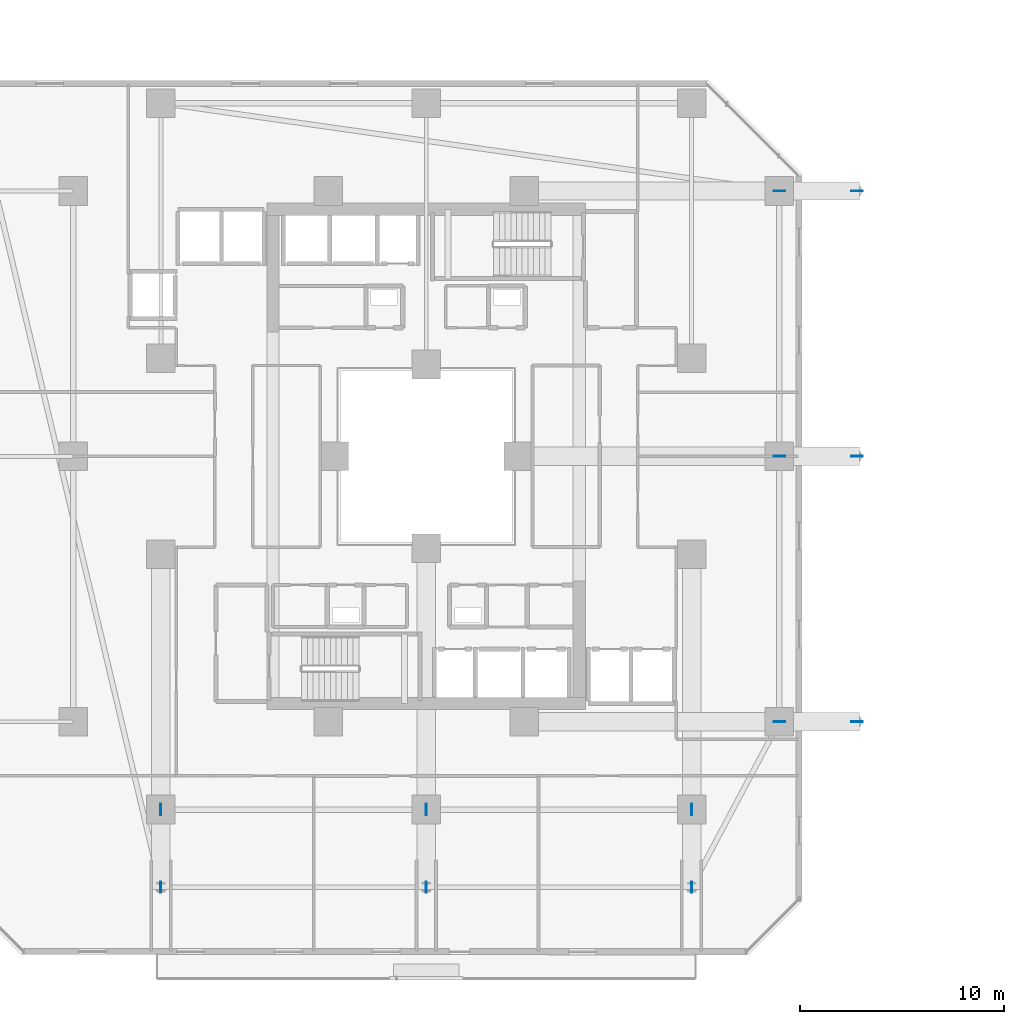
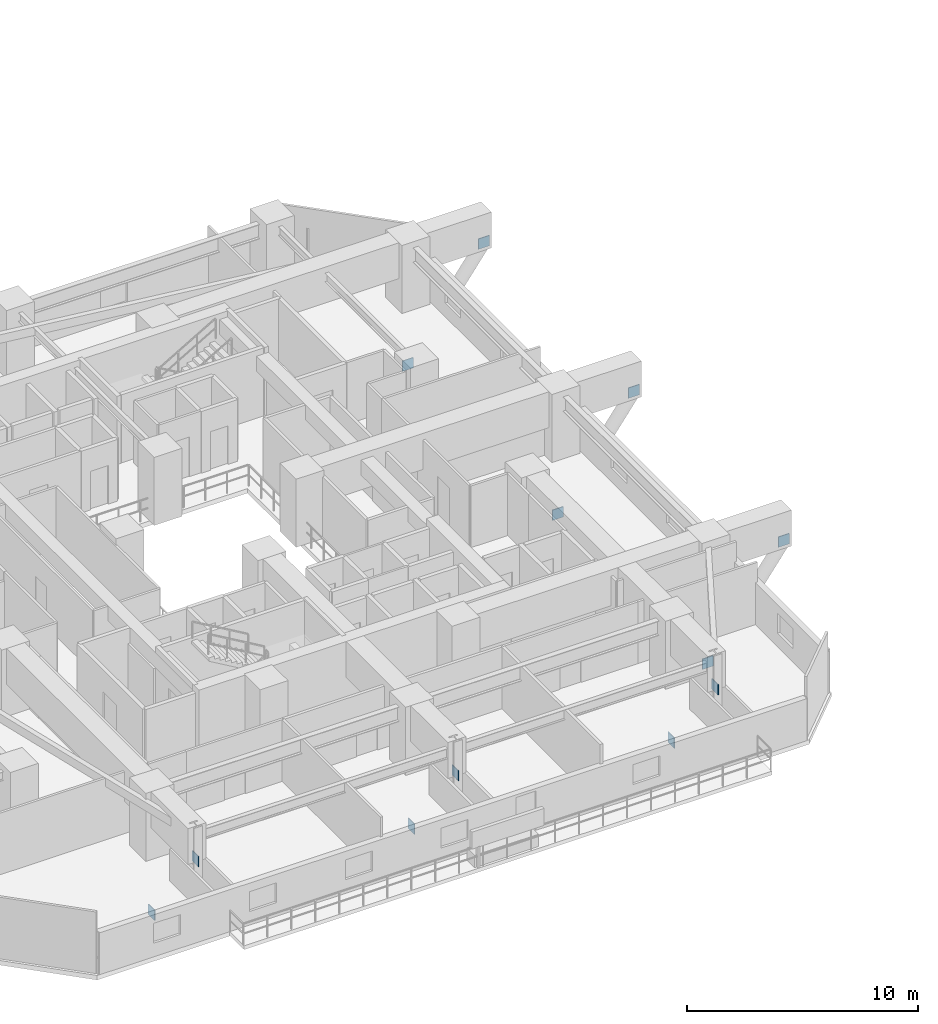
# One storey, part 19 of 36: 12 plates.
"""IFC4 building model written with IfcOpenShell, lengths in metres."""

from ifc_helpers import new_model, si_unit, direction, frame, origin, origin_2d, place, context, subcontext, project, spatial, rectangle, extrude, material, layer, layer_set, type_object, element, save


model = new_model("IFC4")

# Units and contexts
model_context = context("Model", 3, precision=1e-05, world=origin(), true_north=direction((0.0, 1.0)))
body_context = subcontext(model_context, "Body", "Model", "MODEL_VIEW")
ifc_project = project(units=[si_unit("LENGTHUNIT", "METRE"), si_unit("AREAUNIT", "SQUARE_METRE"), si_unit("VOLUMEUNIT", "CUBIC_METRE"), si_unit("PLANEANGLEUNIT", "RADIAN"), si_unit("MASSUNIT", "GRAM", prefix="KILO")], contexts=[model_context])

# Site, building, storey
site_placement = place(None, origin())
site = spatial("IfcSite", under=ifc_project, at=site_placement, CompositionType="ELEMENT")
building_placement = place(site_placement, origin())
building = spatial("IfcBuilding", under=site, at=building_placement, Name="Thornwick Lancets Civic Towers", CompositionType="ELEMENT")
storey_placement = place(building_placement, frame((0.0, 0.0, 45.89990234375)))
storey = spatial("IfcBuildingStorey", under=building, at=storey_placement, Name="L11", CompositionType="ELEMENT", Elevation=45.89990234375)

# Plates
ifc_material = material(Name="Steel S460M", Category="steel")
ifc_layer = layer(ifc_material, 0.0400390625, Name="Steel S460M")
ifc_layer_set = layer_set([ifc_layer], Name="Steel S460M")
plate_type = type_object("IfcPlateType", Name="PLT_GUSSET_40", PredefinedType="USERDEFINED", material=ifc_layer_set)
for number, where, z_axis, x_axis, name in (
    (1, (12.5, 9.699951171875, -3.625), (0.0, 0.0, 1.0), (0.0, -1.0, 0.0), "L11 Brace Connection Gusset Plate 0025"),
    (2, (12.5, 5.89990234375, 1.5048828125), (0.0, 0.0, 1.0), (0.0, -1.0, 0.0), "L11 Brace Connection Gusset Plate 0026"),
    (3, (25.5, 9.699951171875, -3.625), (0.0, 0.0, 1.0), (0.0, -1.0, 0.0), "L11 Brace Connection Gusset Plate 0027"),
    (4, (25.5, 5.89990234375, 1.5048828125), (0.0, 0.0, 1.0), (0.0, -1.0, 0.0), "L11 Brace Connection Gusset Plate 0028"),
    (5, (38.5, 9.699951171875, -3.625), (0.0, 0.0, 1.0), (0.0, -1.0, 0.0), "L11 Brace Connection Gusset Plate 0029"),
    (6, (38.5, 5.89990234375, 1.5048828125), (0.0, 0.0, 1.0), (0.0, -1.0, 0.0), "L11 Brace Connection Gusset Plate 0030"),
    (7, (42.800048828125, 14.0, -3.625), (0.0, 0.0, 1.0), (1.0, 0.0, 0.0), "L11 Brace Connection Gusset Plate 0031"),
    (8, (46.60009765625, 14.0, 1.5048828125), (0.0, 0.0, 1.0), (1.0, 0.0, 0.0), "L11 Brace Connection Gusset Plate 0032"),
    (9, (42.800048828125, 27.0, -3.625), (0.0, 0.0, 1.0), (1.0, 0.0, 0.0), "L11 Brace Connection Gusset Plate 0033"),
    (10, (46.60009765625, 27.0, 1.5048828125), (0.0, 0.0, 1.0), (1.0, 0.0, 0.0), "L11 Brace Connection Gusset Plate 0034"),
    (11, (42.800048828125, 40.0, -3.625), (0.0, 0.0, 1.0), (1.0, 0.0, 0.0), "L11 Brace Connection Gusset Plate 0035"),
    (12, (46.60009765625, 40.0, 1.5048828125), (0.0, 0.0, 1.0), (1.0, 0.0, 0.0), "L11 Brace Connection Gusset Plate 0036"),
):
    element("IfcPlate", number, at=place(storey_placement, frame(where, z_axis=z_axis, x_axis=x_axis)), inside=storey, type_object=plate_type, Name=name, ObjectType="GUSSET_PLATE", PredefinedType="USERDEFINED", context=body_context, shape_type="SweptSolid", body=[
        extrude(rectangle(XDim=0.550048828125, YDim=0.0400390625, at=origin_2d()), origin(), (0.0, 0.0, 1.0), 0.550048828125),
    ])

save(model, "model.ifc")
